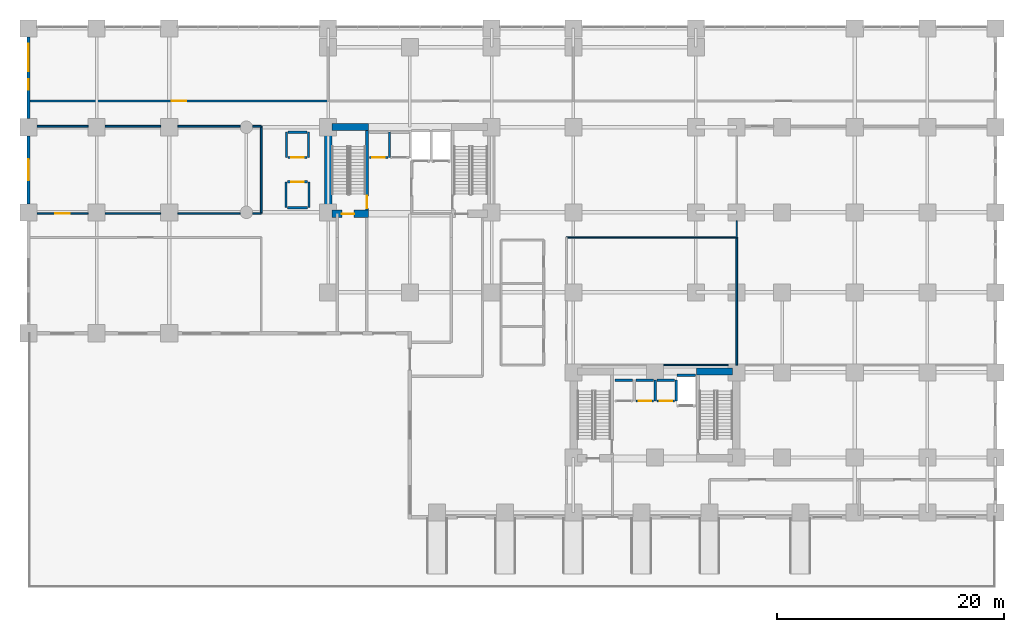
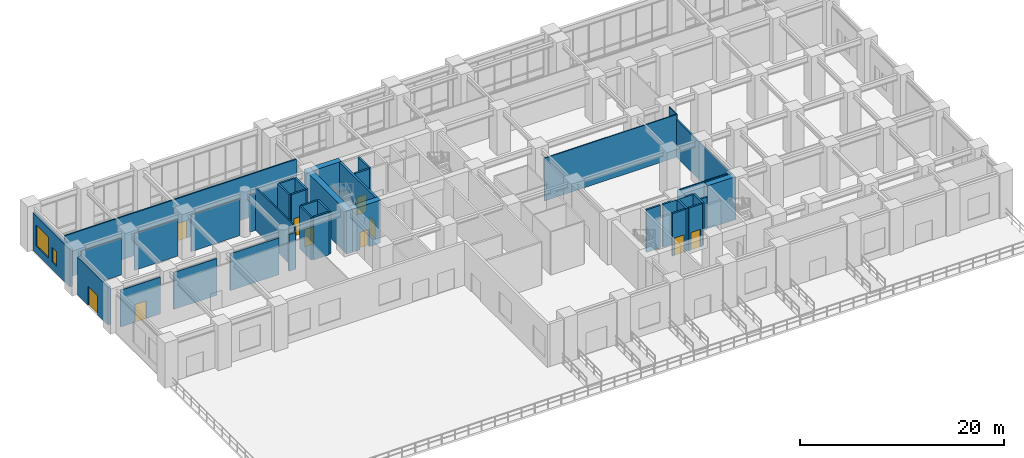
# One storey, part 15 of 22: 39 walls, 10 doors, 2 windows, 12 openings.
"""IFC4 building model written with IfcOpenShell, lengths in metres."""

from ifc_helpers import new_model, si_unit, direction, frame, frame_2d, origin, place, context, subcontext, project, spatial, rectangle, extrude, material, layer, layer_set, type_object, element, fill, save


model = new_model("IFC4")

# Units and contexts
model_context = context("Model", 3, precision=1e-05, world=origin(), true_north=direction((0.0, 1.0)))
body_context = subcontext(model_context, "Body", "Model", "MODEL_VIEW")
ifc_project = project(units=[si_unit("LENGTHUNIT", "METRE"), si_unit("AREAUNIT", "SQUARE_METRE"), si_unit("VOLUMEUNIT", "CUBIC_METRE"), si_unit("PLANEANGLEUNIT", "RADIAN"), si_unit("MASSUNIT", "GRAM", prefix="KILO")], contexts=[model_context])

# Site, building, storey
site_placement = place(None, origin())
site = spatial("IfcSite", under=ifc_project, at=site_placement, CompositionType="ELEMENT")
building_placement = place(site_placement, origin())
building = spatial("IfcBuilding", under=site, at=building_placement, Name="Kaliganga Portal Commons", CompositionType="ELEMENT")
storey_placement = place(building_placement, origin())
storey = spatial("IfcBuildingStorey", under=building, at=storey_placement, Name="L00", CompositionType="ELEMENT", Elevation=0.0)

# Wall
ifc_material_1 = material(Name="Concrete C70/85", Category="concrete")
ifc_layer_1 = layer(ifc_material_1, 0.64990234375)
ifc_layer_set_1 = layer_set([ifc_layer_1], Name="Concrete C70/85")
wall_type_1 = type_object("IfcWallType", Name="WL-CORE-650", PredefinedType="SHEAR", material=ifc_layer_set_1)
wall_1_placement = place(storey_placement, frame((14.425048828125, 28.199951171875, 0.0), z_axis=(0.0, 0.0, 1.0), x_axis=(0.0, 1.0, 0.0)))
element("IfcWall", 1, at=wall_1_placement, inside=storey, type_object=wall_type_1, Name="Core A West Shear Wall L00", PredefinedType="SHEAR", context=body_context, shape_type="SweptSolid", body=[
    extrude(rectangle(XDim=8.300048828125, YDim=0.64990234375, at=frame_2d((4.14990234375, 0.0))), origin(), (0.0, 0.0, 1.0), 5.1201171875),
])

# Wall, opening, door
wall_2_placement = place(storey_placement, frame((14.75, 28.52490234375, 0.0), z_axis=(0.0, 0.0, 1.0), x_axis=(1.0, 0.0, 0.0)))
wall_2 = element("IfcWall", 2, at=wall_2_placement, inside=storey, type_object=wall_type_1, Name="Core A S-West Shear Wall L00", PredefinedType="SHEAR", context=body_context, shape_type="SweptSolid", body=[
    extrude(rectangle(XDim=3.199951171875, YDim=0.64990234375, at=frame_2d((1.60009765625, 0.0))), origin(), (0.0, 0.0, 1.0), 5.1201171875),
])
opening_1_placement = place(wall_2_placement, frame((0.85009765625, 0.0, 0.0)))
opening_1 = element("IfcOpeningElement", 3, at=opening_1_placement, cuts=wall_2, Name="Opening SD-01", PredefinedType="OPENING", context=body_context, shape_type="SweptSolid", body=[
    extrude(rectangle(XDim=1.10009765625, YDim=2.080078125, at=frame_2d((0.550048828125, 1.0400390625))), frame((0.0, 0.3349609375, 0.0), z_axis=(0.0, -1.0, 0.0), x_axis=(1.0, 0.0, 0.0)), (0.0, 0.0, 1.0), 0.669921875),
])
ifc_material_2 = material(Name="Galvanized Steel Fire Door Leaf and Frame", Category="steel")
door_type_1 = type_object("IfcDoorType", Name="DR-STAIR-1100", OperationType="NOTDEFINED", PredefinedType="DOOR", material=ifc_material_2)
door_1_placement = place(opening_1_placement, origin())
door_1 = element("IfcDoor", 4, at=door_1_placement, inside=storey, type_object=door_type_1, Name="Protected Stair ST-A1 Exit Passageway Fire Door L00", OperationType="SINGLE_SWING_LEFT", OverallHeight=2.080078125, OverallWidth=1.10009765625, PredefinedType="DOOR", context=body_context, shape_type="SweptSolid", body=[
    extrude(rectangle(XDim=1.10009765625, YDim=2.080078125, at=frame_2d((0.550048828125, 1.0400390625))), frame((0.0, 0.02490234375, 0.0), z_axis=(0.0, -1.0, 0.0), x_axis=(1.0, 0.0, 0.0)), (0.0, 0.0, 1.0), 0.050048828125),
])
fill(opening_1, door_1)

# Walls
for number, where, z_axis, x_axis, name in (
    (5, (14.75, 36.175048828125, 0.0), (0.0, 0.0, 1.0), (1.0, 0.0, 0.0), "Core A N-West Shear Wall L00"),
    (6, (46.85009765625, 14.625, 0.0), (0.0, 0.0, 1.0), (1.0, 0.0, 0.0), "Core B N-East Shear Wall L00"),
):
    element("IfcWall", number, at=place(storey_placement, frame(where, z_axis=z_axis, x_axis=x_axis)), inside=storey, type_object=wall_type_1, Name=name, PredefinedType="SHEAR", context=body_context, shape_type="SweptSolid", body=[
        extrude(rectangle(XDim=3.199951171875, YDim=0.64990234375, at=frame_2d((1.60009765625, 0.0))), origin(), (0.0, 0.0, 1.0), 5.1201171875),
    ])

# Wall, openings, windows
ifc_material_3 = material(Name="Precast concrete C40/50", Category="concrete")
ifc_layer_2 = layer(ifc_material_3, 0.300048828125)
ifc_layer_set_2 = layer_set([ifc_layer_2], Name="Precast concrete C40/50")
wall_type_2 = type_object("IfcWallType", Name="WL-EXT-POD-300", PredefinedType="STANDARD", material=ifc_layer_set_2)
wall_3_placement = place(storey_placement, frame((-12.0, 36.90087890625, 0.0), z_axis=(0.0, 0.0, 1.0), x_axis=(0.0, 1.0, 0.0)))
wall_3 = element("IfcWall", 7, at=wall_3_placement, inside=storey, type_object=wall_type_2, Name="Exterior Envelope Wall L00 P1-E03-S1", PredefinedType="STANDARD", context=body_context, shape_type="SweptSolid", body=[
    extrude(rectangle(XDim=7.1982421875, YDim=0.300048828125, at=frame_2d((3.59912109375, 0.0))), origin(), (0.0, 0.0, 1.0), 4.5),
])
opening_2_placement = place(wall_3_placement, frame((4.198486328125, 0.0, 0.89990234375)))
opening_2 = element("IfcOpeningElement", 8, at=opening_2_placement, cuts=wall_3, Name="Opening W-05", PredefinedType="OPENING", context=body_context, shape_type="SweptSolid", body=[
    extrude(rectangle(XDim=2.39990234375, YDim=2.5, at=frame_2d((1.199951171875, 1.25))), frame((0.0, 0.16015625, 0.0), z_axis=(0.0, -1.0, 0.0), x_axis=(1.0, 0.0, 0.0)), (0.0, 0.0, 1.0), 0.320068359375),
])
opening_3_placement = place(wall_3_placement, frame((2.548095703125, 0.0, 0.89990234375)))
opening_3 = element("IfcOpeningElement", 9, at=opening_3_placement, cuts=wall_3, Name="Opening W-04", PredefinedType="OPENING", context=body_context, shape_type="SweptSolid", body=[
    extrude(rectangle(XDim=0.949951171875, YDim=1.75, at=frame_2d((0.47509765625, 0.875))), frame((0.0, 0.16015625, 0.0), z_axis=(0.0, -1.0, 0.0), x_axis=(1.0, 0.0, 0.0)), (0.0, 0.0, 1.0), 0.320068359375),
])
ifc_material_4 = material(Name="Thermally Broken Aluminium and Low-E Double Glazing", Category="aluminium")
window_type_1 = type_object("IfcWindowType", Name="WIN-NARROW-950", PartitioningType="SINGLE_PANEL", PredefinedType="WINDOW", material=ifc_material_4)
window_1_placement = place(opening_3_placement, origin())
window_1 = element("IfcWindow", 10, at=window_1_placement, inside=storey, type_object=window_type_1, Name="Facade Window L00-P1E03S1-N5", OverallHeight=1.75, OverallWidth=0.949951171875, PartitioningType="SINGLE_PANEL", PredefinedType="WINDOW", context=body_context, shape_type="SweptSolid", body=[
    extrude(rectangle(XDim=0.949951171875, YDim=1.75, at=frame_2d((0.47509765625, 0.875))), frame((0.0, 0.030029296875, 0.0), z_axis=(0.0, -1.0, 0.0), x_axis=(1.0, 0.0, 0.0)), (0.0, 0.0, 1.0), 0.06005859375),
])
fill(opening_3, window_1)
window_type_2 = type_object("IfcWindowType", Name="WIN-POD-2400", PartitioningType="TRIPLE_PANEL_VERTICAL", PredefinedType="WINDOW", material=ifc_material_4)
window_2_placement = place(opening_2_placement, origin())
window_2 = element("IfcWindow", 11, at=window_2_placement, inside=storey, type_object=window_type_2, Name="Facade Window L00-P1E03S1-01", OverallHeight=2.5, OverallWidth=2.39990234375, PartitioningType="SINGLE_PANEL", PredefinedType="WINDOW", context=body_context, shape_type="SweptSolid", body=[
    extrude(rectangle(XDim=2.39990234375, YDim=2.5, at=frame_2d((1.199951171875, 1.25))), frame((0.0, 0.030029296875, 0.0), z_axis=(0.0, -1.0, 0.0), x_axis=(1.0, 0.0, 0.0)), (0.0, 0.0, 1.0), 0.06005859375),
])
fill(opening_2, window_2)

# Wall, opening, door
wall_4_placement = place(storey_placement, frame((-12.0, 29.40087890625, 0.0), z_axis=(0.0, 0.0, 1.0), x_axis=(0.0, 1.0, 0.0)))
wall_4 = element("IfcWall", 12, at=wall_4_placement, inside=storey, type_object=wall_type_2, Name="Exterior Envelope Wall L00 P1-E03-S2", PredefinedType="STANDARD", context=body_context, shape_type="SweptSolid", body=[
    extrude(rectangle(XDim=5.998046875, YDim=0.300048828125, at=frame_2d((2.9990234375, 0.0))), origin(), (0.0, 0.0, 1.0), 4.5),
])
opening_4_placement = place(wall_4_placement, frame((2.073974609375, 0.0, 0.0)))
opening_4 = element("IfcOpeningElement", 13, at=opening_4_placement, cuts=wall_4, Name="Opening XD-01", PredefinedType="OPENING", context=body_context, shape_type="SweptSolid", body=[
    extrude(rectangle(XDim=1.85009765625, YDim=2.25, at=frame_2d((0.925048828125, 1.125))), frame((0.0, 0.16015625, 0.0), z_axis=(0.0, -1.0, 0.0), x_axis=(1.0, 0.0, 0.0)), (0.0, 0.0, 1.0), 0.320068359375),
])
ifc_material_5 = material(Name="Anodized Aluminium and Laminated Safety Glass", Category="aluminium")
door_type_2 = type_object("IfcDoorType", Name="DR-EXIT-1850", OperationType="DOUBLE_DOOR_SINGLE_SWING", PredefinedType="DOOR", material=ifc_material_5)
door_2_placement = place(opening_4_placement, origin())
door_2 = element("IfcDoor", 14, at=door_2_placement, inside=storey, type_object=door_type_2, Name="West Forecourt Exit Discharge Door XD-W", OperationType="DOUBLE_DOOR_SINGLE_SWING", OverallHeight=2.25, OverallWidth=1.85009765625, PredefinedType="DOOR", context=body_context, shape_type="SweptSolid", body=[
    extrude(rectangle(XDim=1.85009765625, YDim=2.25, at=frame_2d((0.925048828125, 1.125))), frame((0.0, 0.02490234375, 0.0), z_axis=(0.0, -1.0, 0.0), x_axis=(1.0, 0.0, 0.0)), (0.0, 0.0, 1.0), 0.050048828125),
])
fill(opening_4, door_2)

ifc_material_6 = material(Name="Fire-Rated Gypsum Board on Steel Stud", Category="steel")
ifc_layer_3 = layer(ifc_material_6, 0.14990234375)
ifc_layer_set_3 = layer_set([ifc_layer_3], Name="Fire-Rated Gypsum Board on Steel Stud")
wall_type_3 = type_object("IfcWallType", Name="WL-PART-CORR-150", PredefinedType="PARTITIONING", material=ifc_layer_set_3)
wall_5_placement = place(storey_placement, frame((-11.867919921875, 38.4599609375, 0.0), z_axis=(0.0, 0.0, 1.0), x_axis=(1.0, 0.0, 0.0)))
wall_5 = element("IfcWall", 15, at=wall_5_placement, inside=storey, type_object=wall_type_3, Name="Interior Partition L00-013", PredefinedType="PARTITIONING", context=body_context, shape_type="SweptSolid", body=[
    extrude(rectangle(XDim=26.267822265625, YDim=0.14990234375, at=frame_2d((13.1337890625, 0.0))), origin(), (0.0, 0.0, 1.0), 5.10009765625),
])
opening_5_placement = place(wall_5_placement, frame((12.48388671875, 0.0, 0.0)))
opening_5 = element("IfcOpeningElement", 16, at=opening_5_placement, cuts=wall_5, Name="Opening RD-03", PredefinedType="OPENING", context=body_context, shape_type="SweptSolid", body=[
    extrude(rectangle(XDim=1.300048828125, YDim=2.1201171875, at=frame_2d((0.64990234375, 1.06005859375))), frame((0.0, 0.0849609375, 0.0), z_axis=(0.0, -1.0, 0.0), x_axis=(1.0, 0.0, 0.0)), (0.0, 0.0, 1.0), 0.169921875),
])
ifc_material_7 = material(Name="Glazed Timber Seminar Vision Door", Category="wood")
door_type_3 = type_object("IfcDoorType", Name="DR-STUDY-1300", OperationType="DOUBLE_DOOR_SINGLE_SWING", PredefinedType="DOOR", material=ifc_material_7)
door_3_placement = place(opening_5_placement, origin())
door_3 = element("IfcDoor", 17, at=door_3_placement, inside=storey, type_object=door_type_3, Name="Interior Door L00-EXHIB", OperationType="DOUBLE_DOOR_SINGLE_SWING", OverallHeight=2.1201171875, OverallWidth=1.300048828125, PredefinedType="DOOR", context=body_context, shape_type="SweptSolid", body=[
    extrude(rectangle(XDim=1.300048828125, YDim=2.1201171875, at=frame_2d((0.64990234375, 1.06005859375))), frame((0.0, 0.02490234375, 0.0), z_axis=(0.0, -1.0, 0.0), x_axis=(1.0, 0.0, 0.0)), (0.0, 0.0, 1.0), 0.050048828125),
])
fill(opening_5, door_3)

wall_6_placement = place(storey_placement, frame((-11.25, 28.56005859375, 0.0), z_axis=(0.0, 0.0, 1.0), x_axis=(1.0, 0.0, 0.0)))
wall_6 = element("IfcWall", 18, at=wall_6_placement, inside=storey, type_object=wall_type_3, Name="Interior Partition L00-020", PredefinedType="PARTITIONING", context=body_context, shape_type="SweptSolid", body=[
    extrude(rectangle(XDim=4.5, YDim=0.14990234375, at=frame_2d((2.25, 0.0))), origin(), (0.0, 0.0, 1.0), 4.39990234375),
])
opening_6_placement = place(wall_6_placement, frame((1.60009765625, 0.0, 0.0)))
opening_6 = element("IfcOpeningElement", 19, at=opening_6_placement, cuts=wall_6, Name="Opening RD-03", PredefinedType="OPENING", context=body_context, shape_type="SweptSolid", body=[
    extrude(rectangle(XDim=1.300048828125, YDim=2.1201171875, at=frame_2d((0.64990234375, 1.06005859375))), frame((0.0, 0.0849609375, 0.0), z_axis=(0.0, -1.0, 0.0), x_axis=(1.0, 0.0, 0.0)), (0.0, 0.0, 1.0), 0.169921875),
])
door_4_placement = place(opening_6_placement, origin())
door_4 = element("IfcDoor", 20, at=door_4_placement, inside=storey, type_object=door_type_3, Name="Interior Door L00-CAFE_NW", OperationType="DOUBLE_DOOR_SINGLE_SWING", OverallHeight=2.1201171875, OverallWidth=1.300048828125, PredefinedType="DOOR", context=body_context, shape_type="SweptSolid", body=[
    extrude(rectangle(XDim=1.300048828125, YDim=2.1201171875, at=frame_2d((0.64990234375, 1.06005859375))), frame((0.0, 0.02490234375, 0.0), z_axis=(0.0, -1.0, 0.0), x_axis=(1.0, 0.0, 0.0)), (0.0, 0.0, 1.0), 0.050048828125),
])
fill(opening_6, door_4)

# Walls
wall_7_placement = place(storey_placement, frame((-5.25, 28.56005859375, 0.0), z_axis=(0.0, 0.0, 1.0), x_axis=(1.0, 0.0, 0.0)))
element("IfcWall", 21, at=wall_7_placement, inside=storey, type_object=wall_type_3, Name="Interior Partition L00-021", PredefinedType="PARTITIONING", context=body_context, shape_type="SweptSolid", body=[
    extrude(rectangle(XDim=4.89990234375, YDim=0.14990234375, at=frame_2d((2.449951171875, 0.0))), origin(), (0.0, 0.0, 1.0), 4.39990234375),
])
wall_8_placement = place(storey_placement, frame((1.14990234375, 28.56005859375, 0.0), z_axis=(0.0, 0.0, 1.0), x_axis=(1.0, 0.0, 0.0)))
element("IfcWall", 22, at=wall_8_placement, inside=storey, type_object=wall_type_3, Name="Interior Partition L00-022", PredefinedType="PARTITIONING", context=body_context, shape_type="SweptSolid", body=[
    extrude(rectangle(XDim=5.5, YDim=0.14990234375, at=frame_2d((2.75, 0.0))), origin(), (0.0, 0.0, 1.0), 4.39990234375),
])
wall_9_placement = place(storey_placement, frame((7.75, 28.56005859375, 0.0), z_axis=(0.0, 0.0, 1.0), x_axis=(1.0, 0.0, 0.0)))
element("IfcWall", 23, at=wall_9_placement, inside=storey, type_object=wall_type_3, Name="Interior Partition L00-023", PredefinedType="PARTITIONING", context=body_context, shape_type="SweptSolid", body=[
    extrude(rectangle(XDim=0.75, YDim=0.14990234375, at=frame_2d((0.375, 0.0))), origin(), (0.0, 0.0, 1.0), 4.39990234375),
])
wall_10_placement = place(storey_placement, frame((-11.25, 36.239990234375, 0.0), z_axis=(0.0, 0.0, 1.0), x_axis=(1.0, 0.0, 0.0)))
element("IfcWall", 24, at=wall_10_placement, inside=storey, type_object=wall_type_3, Name="Interior Partition L00-024", PredefinedType="PARTITIONING", context=body_context, shape_type="SweptSolid", body=[
    extrude(rectangle(XDim=4.5, YDim=0.14990234375, at=frame_2d((2.25, 0.0))), origin(), (0.0, 0.0, 1.0), 4.39990234375),
])
wall_11_placement = place(storey_placement, frame((-5.25, 36.239990234375, 0.0), z_axis=(0.0, 0.0, 1.0), x_axis=(1.0, 0.0, 0.0)))
element("IfcWall", 25, at=wall_11_placement, inside=storey, type_object=wall_type_3, Name="Interior Partition L00-025", PredefinedType="PARTITIONING", context=body_context, shape_type="SweptSolid", body=[
    extrude(rectangle(XDim=4.89990234375, YDim=0.14990234375, at=frame_2d((2.449951171875, 0.0))), origin(), (0.0, 0.0, 1.0), 4.39990234375),
])
wall_12_placement = place(storey_placement, frame((1.14990234375, 36.239990234375, 0.0), z_axis=(0.0, 0.0, 1.0), x_axis=(1.0, 0.0, 0.0)))
element("IfcWall", 26, at=wall_12_placement, inside=storey, type_object=wall_type_3, Name="Interior Partition L00-026", PredefinedType="PARTITIONING", context=body_context, shape_type="SweptSolid", body=[
    extrude(rectangle(XDim=5.5, YDim=0.14990234375, at=frame_2d((2.75, 0.0))), origin(), (0.0, 0.0, 1.0), 4.39990234375),
])
wall_13_placement = place(storey_placement, frame((7.75, 36.239990234375, 0.0), z_axis=(0.0, 0.0, 1.0), x_axis=(1.0, 0.0, 0.0)))
element("IfcWall", 27, at=wall_13_placement, inside=storey, type_object=wall_type_3, Name="Interior Partition L00-027", PredefinedType="PARTITIONING", context=body_context, shape_type="SweptSolid", body=[
    extrude(rectangle(XDim=0.75, YDim=0.14990234375, at=frame_2d((0.375, 0.0))), origin(), (0.0, 0.0, 1.0), 4.39990234375),
])
wall_14_placement = place(storey_placement, frame((8.5, 28.56005859375, 0.0), z_axis=(0.0, 0.0, 1.0), x_axis=(0.0, 1.0, 0.0)))
element("IfcWall", 28, at=wall_14_placement, inside=storey, type_object=wall_type_3, Name="Interior Partition L00-032", PredefinedType="PARTITIONING", context=body_context, shape_type="SweptSolid", body=[
    extrude(rectangle(XDim=7.679931640625, YDim=0.14990234375, at=frame_2d((3.83984375, 0.0))), origin(), (0.0, 0.0, 1.0), 5.10009765625),
])
ifc_material_8 = material(Name="Moisture-Resistant Gypsum Partition", Category="gypsum")
ifc_layer_4 = layer(ifc_material_8, 0.114990234375)
ifc_layer_set_4 = layer_set([ifc_layer_4], Name="Moisture-Resistant Gypsum Partition")
wall_type_4 = type_object("IfcWallType", Name="WL-PART-ROOM-115", PredefinedType="PARTITIONING", material=ifc_layer_set_4)
wall_15_placement = place(storey_placement, frame((43.949951171875, 15.199951171875, 0.0), z_axis=(0.0, 0.0, 1.0), x_axis=(1.0, 0.0, 0.0)))
element("IfcWall", 29, at=wall_15_placement, inside=storey, type_object=wall_type_4, Name="Interior Partition L00-042", PredefinedType="PARTITIONING", context=body_context, shape_type="SweptSolid", body=[
    extrude(rectangle(XDim=5.699951171875, YDim=0.114990234375, at=frame_2d((2.85009765625, 0.0))), origin(), (0.0, 0.0, 1.0), 5.10009765625),
])
wall_16_placement = place(storey_placement, frame((35.39990234375, 26.43994140625, 0.0), z_axis=(0.0, 0.0, 1.0), x_axis=(1.0, 0.0, 0.0)))
element("IfcWall", 30, at=wall_16_placement, inside=storey, type_object=wall_type_4, Name="Interior Partition L00-043", PredefinedType="PARTITIONING", context=body_context, shape_type="SweptSolid", body=[
    extrude(rectangle(XDim=15.0, YDim=0.114990234375, at=frame_2d((7.5, 0.0))), origin(), (0.0, 0.0, 1.0), 5.10009765625),
])
wall_17_placement = place(storey_placement, frame((50.39990234375, 26.43994140625, 0.0), z_axis=(0.0, 0.0, 1.0), x_axis=(0.0, 1.0, 0.0)))
element("IfcWall", 31, at=wall_17_placement, inside=storey, type_object=wall_type_4, Name="Interior Partition L00-045", PredefinedType="PARTITIONING", context=body_context, shape_type="SweptSolid", body=[
    extrude(rectangle(XDim=1.4599609375, YDim=0.114990234375, at=frame_2d((0.72998046875, 0.0))), origin(), (0.0, 0.0, 1.0), 5.10009765625),
])
ifc_material_9 = material(Name="Twin-Stud Acoustic Gypsum Partition", Category="gypsum")
ifc_layer_5 = layer(ifc_material_9, 0.1650390625)
ifc_layer_set_5 = layer_set([ifc_layer_5], Name="Twin-Stud Acoustic Gypsum Partition")
wall_type_5 = type_object("IfcWallType", Name="WL-PART-UNIT-165", PredefinedType="PARTITIONING", material=ifc_layer_set_5)
wall_18_placement = place(storey_placement, frame((50.39990234375, 15.199951171875, 0.0), z_axis=(0.0, 0.0, 1.0), x_axis=(0.0, 1.0, 0.0)))
element("IfcWall", 32, at=wall_18_placement, inside=storey, type_object=wall_type_5, Name="Interior Partition L00-044", PredefinedType="PARTITIONING", context=body_context, shape_type="SweptSolid", body=[
    extrude(rectangle(XDim=11.239990234375, YDim=0.1650390625, at=frame_2d((5.6201171875, 0.0))), origin(), (0.0, 0.0, 1.0), 4.5),
])

# Wall, opening, door
ifc_material_10 = material(Name="Fire-Rated Shaftwall Masonry Assembly", Category="masonry")
ifc_layer_6 = layer(ifc_material_10, 0.199951171875)
ifc_layer_set_6 = layer_set([ifc_layer_6], Name="Fire-Rated Shaftwall Masonry Assembly")
wall_type_6 = type_object("IfcWallType", Name="WL-SHAFT-200", PredefinedType="PARTITIONING", material=ifc_layer_set_6)
wall_19_placement = place(storey_placement, frame((18.02490234375, 33.485107421875, 0.0), z_axis=(0.0, 0.0, 1.0), x_axis=(1.0, 0.0, 0.0)))
wall_19 = element("IfcWall", 33, at=wall_19_placement, inside=storey, type_object=wall_type_6, Name="Lift PL-A1 Hoistway Shaft Wall L00-S", PredefinedType="PARTITIONING", context=body_context, shape_type="SweptSolid", body=[
    extrude(rectangle(XDim=1.650146484375, YDim=0.199951171875, at=frame_2d((0.8251953125, 0.0))), origin(), (0.0, 0.0, 1.0), 5.10009765625),
])
opening_7_placement = place(wall_19_placement, frame((0.27490234375, 0.0, 0.0)))
opening_7 = element("IfcOpeningElement", 34, at=opening_7_placement, cuts=wall_19, Name="Opening LD-01", PredefinedType="OPENING", context=body_context, shape_type="SweptSolid", body=[
    extrude(rectangle(XDim=1.10009765625, YDim=2.1201171875, at=frame_2d((0.550048828125, 1.06005859375))), frame((0.0, 0.10986328125, 0.0), z_axis=(0.0, -1.0, 0.0), x_axis=(1.0, 0.0, 0.0)), (0.0, 0.0, 1.0), 0.219970703125),
])
ifc_material_11 = material(Name="Brushed Stainless Steel 316 Lift Landing Door", Category="steel")
door_type_4 = type_object("IfcDoorType", Name="DR-LIFT-1100", OperationType="SLIDING_TO_LEFT", PredefinedType="DOOR", material=ifc_material_11)
door_5_placement = place(opening_7_placement, origin())
door_5 = element("IfcDoor", 35, at=door_5_placement, inside=storey, type_object=door_type_4, Name="Lift PL-A1 Sliding Landing Door L00", OperationType="SLIDING_TO_LEFT", OverallHeight=2.1201171875, OverallWidth=1.10009765625, PredefinedType="DOOR", context=body_context, shape_type="SweptSolid", body=[
    extrude(rectangle(XDim=1.10009765625, YDim=2.1201171875, at=frame_2d((0.550048828125, 1.06005859375))), frame((0.0, 0.02490234375, 0.0), z_axis=(0.0, -1.0, 0.0), x_axis=(1.0, 0.0, 0.0)), (0.0, 0.0, 1.0), 0.050048828125),
])
fill(opening_7, door_5)

# Walls
wall_20_placement = place(storey_placement, frame((19.81494140625, 33.485107421875, 0.0), z_axis=(0.0, 0.0, 1.0), x_axis=(0.0, 1.0, 0.0)))
element("IfcWall", 36, at=wall_20_placement, inside=storey, type_object=wall_type_6, Name="Lift PL-A1 Hoistway Shaft Wall L00-E", PredefinedType="PARTITIONING", context=body_context, shape_type="SweptSolid", body=[
    extrude(rectangle(XDim=2.22998046875, YDim=0.199951171875, at=frame_2d((1.114990234375, 0.0))), origin(), (0.0, 0.0, 1.0), 5.10009765625),
])
wall_21_placement = place(storey_placement, frame((10.824951171875, 29.06005859375, 0.0), z_axis=(0.0, 0.0, 1.0), x_axis=(1.0, 0.0, 0.0)))
element("IfcWall", 37, at=wall_21_placement, inside=storey, type_object=wall_type_6, Name="Lift SH-1 Hoistway Shaft Wall L00-S", PredefinedType="PARTITIONING", context=body_context, shape_type="SweptSolid", body=[
    extrude(rectangle(XDim=1.75, YDim=0.199951171875, at=frame_2d((0.875, 0.0))), origin(), (0.0, 0.0, 1.0), 5.10009765625),
])

# Wall, opening, door
wall_22_placement = place(storey_placement, frame((10.824951171875, 31.340087890625, 0.0), z_axis=(0.0, 0.0, 1.0), x_axis=(1.0, 0.0, 0.0)))
wall_22 = element("IfcWall", 38, at=wall_22_placement, inside=storey, type_object=wall_type_6, Name="Lift SH-1 Hoistway Shaft Wall L00-N", PredefinedType="PARTITIONING", context=body_context, shape_type="SweptSolid", body=[
    extrude(rectangle(XDim=1.75, YDim=0.199951171875, at=frame_2d((0.875, 0.0))), origin(), (0.0, 0.0, 1.0), 5.10009765625),
])
opening_8_placement = place(wall_22_placement, frame((0.324951171875, 0.0, 0.0)))
opening_8 = element("IfcOpeningElement", 39, at=opening_8_placement, cuts=wall_22, Name="Opening LD-01", PredefinedType="OPENING", context=body_context, shape_type="SweptSolid", body=[
    extrude(rectangle(XDim=1.10009765625, YDim=2.1201171875, at=frame_2d((0.550048828125, 1.06005859375))), frame((0.0, 0.10986328125, 0.0), z_axis=(0.0, -1.0, 0.0), x_axis=(1.0, 0.0, 0.0)), (0.0, 0.0, 1.0), 0.219970703125),
])
door_6_placement = place(opening_8_placement, origin())
door_6 = element("IfcDoor", 40, at=door_6_placement, inside=storey, type_object=door_type_4, Name="Lift SH-1 Sliding Landing Door L00", OperationType="SLIDING_TO_LEFT", OverallHeight=2.1201171875, OverallWidth=1.10009765625, PredefinedType="DOOR", context=body_context, shape_type="SweptSolid", body=[
    extrude(rectangle(XDim=1.10009765625, YDim=2.1201171875, at=frame_2d((0.550048828125, 1.06005859375))), frame((0.0, 0.02490234375, 0.0), z_axis=(0.0, -1.0, 0.0), x_axis=(1.0, 0.0, 0.0)), (0.0, 0.0, 1.0), 0.050048828125),
])
fill(opening_8, door_6)

# Walls
for number, where, z_axis, x_axis, name in (
    (41, (10.68505859375, 29.06005859375, 0.0), (0.0, 0.0, 1.0), (0.0, 1.0, 0.0), "Lift SH-1 Hoistway Shaft Wall L00-W"),
    (42, (12.715087890625, 29.06005859375, 0.0), (0.0, 0.0, 1.0), (0.0, 1.0, 0.0), "Lift SH-1 Hoistway Shaft Wall L00-E"),
):
    element("IfcWall", number, at=place(storey_placement, frame(where, z_axis=z_axis, x_axis=x_axis)), inside=storey, type_object=wall_type_6, Name=name, PredefinedType="PARTITIONING", context=body_context, shape_type="SweptSolid", body=[
        extrude(rectangle(XDim=2.280029296875, YDim=0.199951171875, at=frame_2d((1.14013671875, 0.0))), origin(), (0.0, 0.0, 1.0), 5.10009765625),
    ])

# Wall, opening, door
wall_23_placement = place(storey_placement, frame((10.875, 33.485107421875, 0.0), z_axis=(0.0, 0.0, 1.0), x_axis=(1.0, 0.0, 0.0)))
wall_23 = element("IfcWall", 43, at=wall_23_placement, inside=storey, type_object=wall_type_6, Name="Lift PL-OBS Hoistway Shaft Wall L00-S", PredefinedType="PARTITIONING", context=body_context, shape_type="SweptSolid", body=[
    extrude(rectangle(XDim=1.64990234375, YDim=0.199951171875, at=frame_2d((0.824951171875, 0.0))), origin(), (0.0, 0.0, 1.0), 5.10009765625),
])
opening_9_placement = place(wall_23_placement, frame((0.27490234375, 0.0, 0.0)))
opening_9 = element("IfcOpeningElement", 44, at=opening_9_placement, cuts=wall_23, Name="Opening LD-01", PredefinedType="OPENING", context=body_context, shape_type="SweptSolid", body=[
    extrude(rectangle(XDim=1.10009765625, YDim=2.1201171875, at=frame_2d((0.550048828125, 1.06005859375))), frame((0.0, 0.10986328125, 0.0), z_axis=(0.0, -1.0, 0.0), x_axis=(1.0, 0.0, 0.0)), (0.0, 0.0, 1.0), 0.219970703125),
])
door_7_placement = place(opening_9_placement, origin())
door_7 = element("IfcDoor", 45, at=door_7_placement, inside=storey, type_object=door_type_4, Name="Lift PL-OBS Sliding Landing Door L00", OperationType="SLIDING_TO_LEFT", OverallHeight=2.1201171875, OverallWidth=1.10009765625, PredefinedType="DOOR", context=body_context, shape_type="SweptSolid", body=[
    extrude(rectangle(XDim=1.10009765625, YDim=2.1201171875, at=frame_2d((0.550048828125, 1.06005859375))), frame((0.0, 0.02490234375, 0.0), z_axis=(0.0, -1.0, 0.0), x_axis=(1.0, 0.0, 0.0)), (0.0, 0.0, 1.0), 0.050048828125),
])
fill(opening_9, door_7)

# Walls
wall_24_placement = place(storey_placement, frame((10.875, 35.715087890625, 0.0), z_axis=(0.0, 0.0, 1.0), x_axis=(1.0, 0.0, 0.0)))
element("IfcWall", 46, at=wall_24_placement, inside=storey, type_object=wall_type_6, Name="Lift PL-OBS Hoistway Shaft Wall L00-N", PredefinedType="PARTITIONING", context=body_context, shape_type="SweptSolid", body=[
    extrude(rectangle(XDim=1.64990234375, YDim=0.199951171875, at=frame_2d((0.824951171875, 0.0))), origin(), (0.0, 0.0, 1.0), 5.10009765625),
])
for number, where, z_axis, x_axis, name in (
    (47, (10.735107421875, 33.485107421875, 0.0), (0.0, 0.0, 1.0), (0.0, 1.0, 0.0), "Lift PL-OBS Hoistway Shaft Wall L00-W"),
    (48, (12.6650390625, 33.485107421875, 0.0), (0.0, 0.0, 1.0), (0.0, 1.0, 0.0), "Lift PL-OBS Hoistway Shaft Wall L00-E"),
):
    element("IfcWall", number, at=place(storey_placement, frame(where, z_axis=z_axis, x_axis=x_axis)), inside=storey, type_object=wall_type_6, Name=name, PredefinedType="PARTITIONING", context=body_context, shape_type="SweptSolid", body=[
        extrude(rectangle(XDim=2.22998046875, YDim=0.199951171875, at=frame_2d((1.114990234375, 0.0))), origin(), (0.0, 0.0, 1.0), 5.10009765625),
    ])
wall_25_placement = place(storey_placement, frame((39.675048828125, 13.864990234375, 0.0), z_axis=(0.0, 0.0, 1.0), x_axis=(1.0, 0.0, 0.0)))
element("IfcWall", 49, at=wall_25_placement, inside=storey, type_object=wall_type_6, Name="Lift PL-B1 Hoistway Shaft Wall L00-N", PredefinedType="PARTITIONING", context=body_context, shape_type="SweptSolid", body=[
    extrude(rectangle(XDim=1.550048828125, YDim=0.199951171875, at=frame_2d((0.77490234375, 0.0))), origin(), (0.0, 0.0, 1.0), 5.10009765625),
])

# Wall, opening, door
wall_26_placement = place(storey_placement, frame((41.52490234375, 12.034912109375, 0.0), z_axis=(0.0, 0.0, 1.0), x_axis=(1.0, 0.0, 0.0)))
wall_26 = element("IfcWall", 50, at=wall_26_placement, inside=storey, type_object=wall_type_6, Name="Lift PL-B2 Hoistway Shaft Wall L00-S", PredefinedType="PARTITIONING", context=body_context, shape_type="SweptSolid", body=[
    extrude(rectangle(XDim=1.550048828125, YDim=0.199951171875, at=frame_2d((0.77490234375, 0.0))), origin(), (0.0, 0.0, 1.0), 5.10009765625),
])
opening_10_placement = place(wall_26_placement, frame((0.22509765625, 0.0, 0.0)))
opening_10 = element("IfcOpeningElement", 51, at=opening_10_placement, cuts=wall_26, Name="Opening LD-01", PredefinedType="OPENING", context=body_context, shape_type="SweptSolid", body=[
    extrude(rectangle(XDim=1.10009765625, YDim=2.1201171875, at=frame_2d((0.550048828125, 1.06005859375))), frame((0.0, 0.10986328125, 0.0), z_axis=(0.0, -1.0, 0.0), x_axis=(1.0, 0.0, 0.0)), (0.0, 0.0, 1.0), 0.219970703125),
])
door_8_placement = place(opening_10_placement, origin())
door_8 = element("IfcDoor", 52, at=door_8_placement, inside=storey, type_object=door_type_4, Name="Lift PL-B2 Sliding Landing Door L00", OperationType="SLIDING_TO_LEFT", OverallHeight=2.1201171875, OverallWidth=1.10009765625, PredefinedType="DOOR", context=body_context, shape_type="SweptSolid", body=[
    extrude(rectangle(XDim=1.10009765625, YDim=2.1201171875, at=frame_2d((0.550048828125, 1.06005859375))), frame((0.0, 0.02490234375, 0.0), z_axis=(0.0, -1.0, 0.0), x_axis=(1.0, 0.0, 0.0)), (0.0, 0.0, 1.0), 0.050048828125),
])
fill(opening_10, door_8)

# Walls
wall_27_placement = place(storey_placement, frame((41.52490234375, 13.864990234375, 0.0), z_axis=(0.0, 0.0, 1.0), x_axis=(1.0, 0.0, 0.0)))
element("IfcWall", 53, at=wall_27_placement, inside=storey, type_object=wall_type_6, Name="Lift PL-B2 Hoistway Shaft Wall L00-N", PredefinedType="PARTITIONING", context=body_context, shape_type="SweptSolid", body=[
    extrude(rectangle(XDim=1.550048828125, YDim=0.199951171875, at=frame_2d((0.77490234375, 0.0))), origin(), (0.0, 0.0, 1.0), 5.10009765625),
])
wall_28_placement = place(storey_placement, frame((43.215087890625, 12.034912109375, 0.0), z_axis=(0.0, 0.0, 1.0), x_axis=(0.0, 1.0, 0.0)))
element("IfcWall", 54, at=wall_28_placement, inside=storey, type_object=wall_type_6, Name="Lift PL-B2 Hoistway Shaft Wall L00-E", PredefinedType="PARTITIONING", context=body_context, shape_type="SweptSolid", body=[
    extrude(rectangle(XDim=1.830078125, YDim=0.199951171875, at=frame_2d((0.9150390625, 0.0))), origin(), (0.0, 0.0, 1.0), 5.10009765625),
])

# Wall, opening, door
wall_29_placement = place(storey_placement, frame((43.375, 12.034912109375, 0.0), z_axis=(0.0, 0.0, 1.0), x_axis=(1.0, 0.0, 0.0)))
wall_29 = element("IfcWall", 55, at=wall_29_placement, inside=storey, type_object=wall_type_6, Name="Lift SH-2 Hoistway Shaft Wall L00-S", PredefinedType="PARTITIONING", context=body_context, shape_type="SweptSolid", body=[
    extrude(rectangle(XDim=1.550048828125, YDim=0.199951171875, at=frame_2d((0.77490234375, 0.0))), origin(), (0.0, 0.0, 1.0), 5.10009765625),
])
opening_11_placement = place(wall_29_placement, frame((0.22509765625, 0.0, 0.0)))
opening_11 = element("IfcOpeningElement", 56, at=opening_11_placement, cuts=wall_29, Name="Opening LD-01", PredefinedType="OPENING", context=body_context, shape_type="SweptSolid", body=[
    extrude(rectangle(XDim=1.10009765625, YDim=2.1201171875, at=frame_2d((0.550048828125, 1.06005859375))), frame((0.0, 0.10986328125, 0.0), z_axis=(0.0, -1.0, 0.0), x_axis=(1.0, 0.0, 0.0)), (0.0, 0.0, 1.0), 0.219970703125),
])
door_9_placement = place(opening_11_placement, origin())
door_9 = element("IfcDoor", 57, at=door_9_placement, inside=storey, type_object=door_type_4, Name="Lift SH-2 Sliding Landing Door L00", OperationType="SLIDING_TO_LEFT", OverallHeight=2.1201171875, OverallWidth=1.10009765625, PredefinedType="DOOR", context=body_context, shape_type="SweptSolid", body=[
    extrude(rectangle(XDim=1.10009765625, YDim=2.1201171875, at=frame_2d((0.550048828125, 1.06005859375))), frame((0.0, 0.02490234375, 0.0), z_axis=(0.0, -1.0, 0.0), x_axis=(1.0, 0.0, 0.0)), (0.0, 0.0, 1.0), 0.050048828125),
])
fill(opening_11, door_9)

# Walls
wall_30_placement = place(storey_placement, frame((43.375, 13.864990234375, 0.0), z_axis=(0.0, 0.0, 1.0), x_axis=(1.0, 0.0, 0.0)))
element("IfcWall", 58, at=wall_30_placement, inside=storey, type_object=wall_type_6, Name="Lift SH-2 Hoistway Shaft Wall L00-N", PredefinedType="PARTITIONING", context=body_context, shape_type="SweptSolid", body=[
    extrude(rectangle(XDim=1.550048828125, YDim=0.199951171875, at=frame_2d((0.77490234375, 0.0))), origin(), (0.0, 0.0, 1.0), 5.10009765625),
])
wall_31_placement = place(storey_placement, frame((45.06494140625, 12.034912109375, 0.0), z_axis=(0.0, 0.0, 1.0), x_axis=(0.0, 1.0, 0.0)))
element("IfcWall", 59, at=wall_31_placement, inside=storey, type_object=wall_type_6, Name="Lift SH-2 Hoistway Shaft Wall L00-E", PredefinedType="PARTITIONING", context=body_context, shape_type="SweptSolid", body=[
    extrude(rectangle(XDim=1.830078125, YDim=0.199951171875, at=frame_2d((0.9150390625, 0.0))), origin(), (0.0, 0.0, 1.0), 5.10009765625),
])
wall_32_placement = place(storey_placement, frame((45.14990234375, 14.2900390625, 0.0), z_axis=(0.0, 0.0, 1.0), x_axis=(1.0, 0.0, 0.0)))
element("IfcWall", 60, at=wall_32_placement, inside=storey, type_object=wall_type_6, Name="Lift SL-B1 Hoistway Shaft Wall L00-N", PredefinedType="PARTITIONING", context=body_context, shape_type="SweptSolid", body=[
    extrude(rectangle(XDim=1.60009765625, YDim=0.199951171875, at=frame_2d((0.800048828125, 0.0))), origin(), (0.0, 0.0, 1.0), 3.89990234375),
])

# Wall, opening, door
ifc_material_12 = material(Name="Concrete C50/60", Category="concrete")
ifc_layer_7 = layer(ifc_material_12, 0.25)
ifc_layer_set_7 = layer_set([ifc_layer_7], Name="Concrete C50/60")
wall_type_7 = type_object("IfcWallType", Name="WL-STAIR-250", PredefinedType="SHEAR", material=ifc_layer_set_7)
wall_33_placement = place(storey_placement, frame((17.824951171875, 28.85009765625, 0.0), z_axis=(0.0, 0.0, 1.0), x_axis=(0.0, 1.0, 0.0)))
wall_33 = element("IfcWall", 61, at=wall_33_placement, inside=storey, type_object=wall_type_7, Name="Stair A1 Enclosure Shear Wall L00", PredefinedType="SHEAR", context=body_context, shape_type="SweptSolid", body=[
    extrude(rectangle(XDim=7.0, YDim=0.25, at=frame_2d((3.5, 0.0))), origin(), (0.0, 0.0, 1.0), 5.1201171875),
])
opening_12_placement = place(wall_33_placement, frame((0.14990234375, 0.0, 0.0)))
opening_12 = element("IfcOpeningElement", 62, at=opening_12_placement, cuts=wall_33, Name="Opening SD-01", PredefinedType="OPENING", context=body_context, shape_type="SweptSolid", body=[
    extrude(rectangle(XDim=1.10009765625, YDim=2.080078125, at=frame_2d((0.550048828125, 1.0400390625))), frame((0.0, 0.135009765625, 0.0), z_axis=(0.0, -1.0, 0.0), x_axis=(1.0, 0.0, 0.0)), (0.0, 0.0, 1.0), 0.27001953125),
])
door_10_placement = place(opening_12_placement, origin())
door_10 = element("IfcDoor", 63, at=door_10_placement, inside=storey, type_object=door_type_1, Name="Protected Stair ST-A1 Fire Door L00", OperationType="SINGLE_SWING_RIGHT", OverallHeight=2.080078125, OverallWidth=1.10009765625, PredefinedType="DOOR", context=body_context, shape_type="SweptSolid", body=[
    extrude(rectangle(XDim=1.10009765625, YDim=2.080078125, at=frame_2d((0.550048828125, 1.0400390625))), frame((0.0, 0.02490234375, 0.0), z_axis=(0.0, -1.0, 0.0), x_axis=(1.0, 0.0, 0.0)), (0.0, 0.0, 1.0), 0.050048828125),
])
fill(opening_12, door_10)

save(model, "model.ifc")
